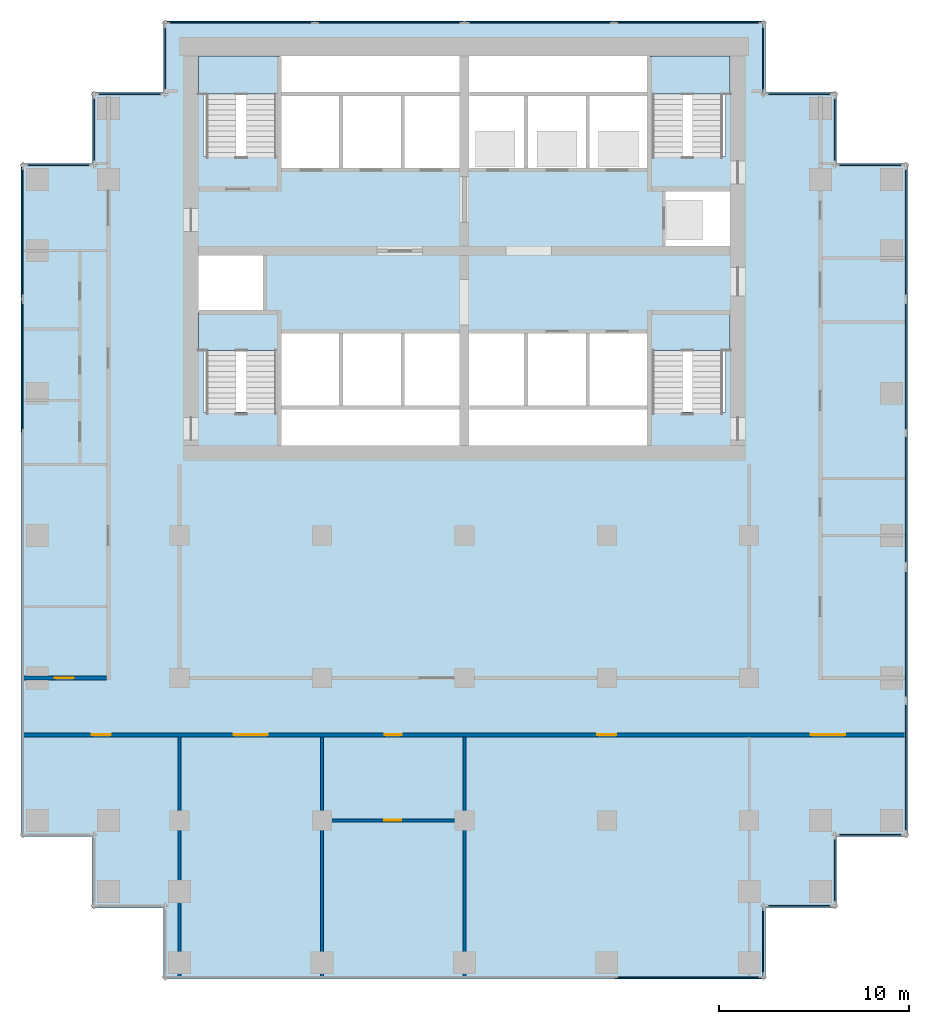
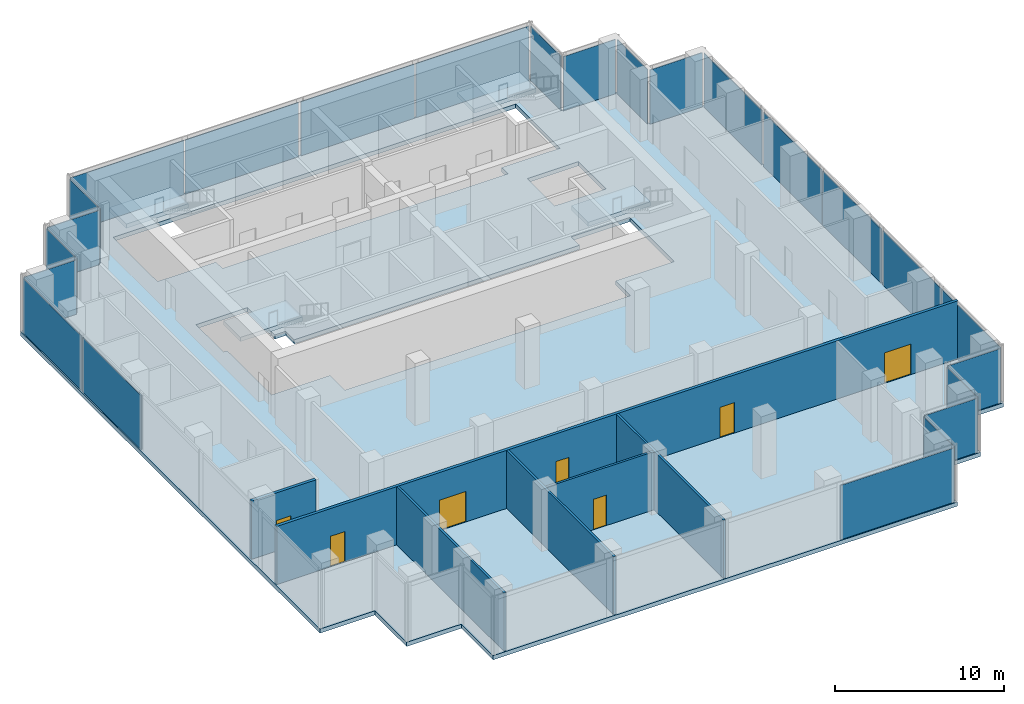
# One storey, part 3 of 8: 24 plates, 7 doors, 6 walls, 5 slabs, 7 openings, 24 elements without a shape of their own.
"""IFC4 building model written with IfcOpenShell, lengths in metres."""

from ifc_helpers import new_model, si_unit, direction, frame, frame_2d, origin, origin_2d, place, context, subcontext, project, spatial, polyline, rectangle, outline, extrude, material, layer, layer_set, type_object, element, fill, aggregate, save


model = new_model("IFC4")

# Units and contexts
model_context = context("Model", 3, precision=1e-05, world=origin(), true_north=direction((0.0, 1.0)))
body_context = subcontext(model_context, "Body", "Model", "MODEL_VIEW")
ifc_project = project(units=[si_unit("LENGTHUNIT", "METRE"), si_unit("AREAUNIT", "SQUARE_METRE"), si_unit("VOLUMEUNIT", "CUBIC_METRE"), si_unit("PLANEANGLEUNIT", "RADIAN"), si_unit("MASSUNIT", "GRAM", prefix="KILO")], contexts=[model_context])

# Site, building, storey
site_placement = place(None, origin())
site = spatial("IfcSite", under=ifc_project, at=site_placement, CompositionType="ELEMENT")
building_placement = place(site_placement, origin())
building = spatial("IfcBuilding", under=site, at=building_placement, Name="Pilkhan Gate Tower", CompositionType="ELEMENT")
storey_placement = place(building_placement, frame((0.0, 0.0, 143.199951171875)))
storey = spatial("IfcBuildingStorey", under=building, at=storey_placement, Name="L36", CompositionType="ELEMENT", Elevation=143.199951171875)

# Slab
ifc_material_1 = material(Name="Concrete C40/50", Category="concrete")
ifc_layer_1 = layer(ifc_material_1, 0.300048828125)
ifc_layer_set_1 = layer_set([ifc_layer_1], Name="Flat plate slab FP300")
slab_type_1 = type_object("IfcSlabType", Name="Flat plate slab FP300", PredefinedType="FLOOR", material=ifc_layer_set_1)
slab_1_placement = place(storey_placement, frame((0.0, 0.0, -0.300048828125)))
element("IfcSlab", 1, at=slab_1_placement, inside=storey, type_object=slab_type_1, Name="Floor slab L36", PredefinedType="FLOOR", context=body_context, shape_type="SweptSolid", body=[
    extrude(outline(polyline([(94.60009765625, 47.89990234375), (90.85009765625, 47.89990234375), (90.85009765625, 44.14990234375), (59.14990234375, 44.14990234375), (59.14990234375, 47.89990234375), (55.39990234375, 47.89990234375), (55.39990234375, 51.64990234375), (51.64990234375, 51.64990234375), (51.64990234375, 87.10009765625), (55.39990234375, 87.10009765625), (55.39990234375, 90.85009765625), (59.14990234375, 90.85009765625), (59.14990234375, 94.60009765625), (90.85009765625, 94.60009765625), (90.85009765625, 90.85009765625), (94.60009765625, 90.85009765625), (94.60009765625, 87.10009765625), (98.35009765625, 87.10009765625), (98.35009765625, 51.64990234375), (94.60009765625, 51.64990234375), (94.60009765625, 47.89990234375)]), holes=[polyline([(75.0, 72.25), (84.75, 72.25), (84.75, 74.0), (88.75, 74.0), (88.75, 79.25), (84.75, 79.25), (84.75, 78.25), (81.5, 78.25), (78.25, 78.25), (75.0, 78.25), (71.75, 78.25), (68.5, 78.25), (65.25, 78.25), (65.25, 79.25), (64.5, 79.25), (64.5, 82.5), (61.25, 82.5), (61.0, 82.5), (61.0, 79.25), (61.25, 79.25), (61.25, 74.0), (65.25, 74.0), (65.25, 72.25), (75.0, 72.25)]), polyline([(68.5, 86.75), (71.75, 86.75), (75.0, 86.75), (78.25, 86.75), (81.5, 86.75), (84.75, 86.75), (84.75, 87.5), (88.75, 87.5), (88.75, 92.75), (84.75, 92.75), (75.0, 92.75), (65.25, 92.75), (61.25, 92.75), (61.25, 87.5), (65.25, 87.5), (65.25, 86.75), (68.5, 86.75)]), polyline([(85.5, 85.75), (85.5, 82.5), (88.75, 82.5), (89.0, 82.5), (89.0, 85.75), (88.75, 85.75), (85.5, 85.75)])]), origin(), (0.0, 0.0, 1.0), 0.300048828125),
])

# Curtain wall, plates
ifc_material_2 = material(Name="Pale anodised aluminium, clear low-iron laminated glazing", Category="aluminium")
curtain_wall_type = type_object("IfcCurtainWallType", Name="Sky lobby and deck curtain wall CW-S", PredefinedType="USERDEFINED", material=ifc_material_2)
curtain_wall_1_placement = place(storey_placement, origin())
curtain_wall_1 = element("IfcCurtainWall", 2, at=curtain_wall_1_placement, inside=storey, type_object=curtain_wall_type, Name="Sky lobby and deck curtain wall CW-S L36 E", ObjectType="UNITISED CURTAIN WALL", PredefinedType="USERDEFINED")
ifc_material_3 = material(Name="Clear low-iron laminated glazing", Category="glass")
ifc_layer_2 = layer(ifc_material_3, 0.055908203125)
ifc_layer_set_2 = layer_set([ifc_layer_2], Name="Glass panel CW-S 56")
plate_type = type_object("IfcPlateType", Name="Glass panel CW-S 56", PredefinedType="CURTAIN_PANEL", material=ifc_layer_set_2)
plate_1_placement = place(storey_placement, frame((98.25, 55.297607421875, 0.0), z_axis=(0.0, 0.0, 1.0), x_axis=(0.0, 1.0, 0.0)))
plate_1 = element("IfcPlate", 3, at=plate_1_placement, type_object=plate_type, Name="CW-S panel 1", PredefinedType="CURTAIN_PANEL", context=body_context, shape_type="SweptSolid", body=[
    extrude(rectangle(XDim=6.9150390625, YDim=0.055908203125, at=origin_2d()), origin(), (0.0, 0.0, 1.0), 3.919921875),
])
plate_2_placement = place(storey_placement, frame((98.25, 62.302490234375, 0.0), z_axis=(0.0, 0.0, 1.0), x_axis=(0.0, 1.0, 0.0)))
plate_2 = element("IfcPlate", 4, at=plate_2_placement, type_object=plate_type, Name="CW-S panel 2", PredefinedType="CURTAIN_PANEL", context=body_context, shape_type="SweptSolid", body=[
    extrude(rectangle(XDim=6.9150390625, YDim=0.055908203125, at=origin_2d()), origin(), (0.0, 0.0, 1.0), 3.919921875),
])
aggregate(curtain_wall_1, [plate_1, plate_2])

curtain_wall_2_placement = place(storey_placement, origin())
curtain_wall_2 = element("IfcCurtainWall", 5, at=curtain_wall_2_placement, inside=storey, type_object=curtain_wall_type, Name="Sky lobby and deck curtain wall CW-S L36 E", ObjectType="UNITISED CURTAIN WALL", PredefinedType="USERDEFINED")
plate_3_placement = place(storey_placement, frame((98.25, 69.3974609375, 0.0), z_axis=(0.0, 0.0, 1.0), x_axis=(0.0, 1.0, 0.0)))
plate_3 = element("IfcPlate", 6, at=plate_3_placement, type_object=plate_type, Name="CW-S panel 1", PredefinedType="CURTAIN_PANEL", context=body_context, shape_type="SweptSolid", body=[
    extrude(rectangle(XDim=6.9150390625, YDim=0.055908203125, at=origin_2d()), origin(), (0.0, 0.0, 1.0), 3.919921875),
])
plate_4_placement = place(storey_placement, frame((98.25, 76.402587890625, 0.0), z_axis=(0.0, 0.0, 1.0), x_axis=(0.0, 1.0, 0.0)))
plate_4 = element("IfcPlate", 7, at=plate_4_placement, type_object=plate_type, Name="CW-S panel 2", PredefinedType="CURTAIN_PANEL", context=body_context, shape_type="SweptSolid", body=[
    extrude(rectangle(XDim=6.9150390625, YDim=0.055908203125, at=origin_2d()), origin(), (0.0, 0.0, 1.0), 3.919921875),
])
aggregate(curtain_wall_2, [plate_3, plate_4])

# Curtain wall, plate
curtain_wall_3_placement = place(storey_placement, origin())
curtain_wall_3 = element("IfcCurtainWall", 8, at=curtain_wall_3_placement, inside=storey, type_object=curtain_wall_type, Name="Sky lobby and deck curtain wall CW-S L36 E", ObjectType="UNITISED CURTAIN WALL", PredefinedType="USERDEFINED")
plate_5_placement = place(storey_placement, frame((98.25, 83.47509765625, 0.0), z_axis=(0.0, 0.0, 1.0), x_axis=(0.0, 1.0, 0.0)))
plate_5 = element("IfcPlate", 9, at=plate_5_placement, type_object=plate_type, Name="CW-S panel 1", PredefinedType="CURTAIN_PANEL", context=body_context, shape_type="SweptSolid", body=[
    extrude(rectangle(XDim=6.8701171875, YDim=0.055908203125, at=origin_2d()), origin(), (0.0, 0.0, 1.0), 3.919921875),
])
aggregate(curtain_wall_3, [plate_5])

curtain_wall_4_placement = place(storey_placement, origin())
curtain_wall_4 = element("IfcCurtainWall", 10, at=curtain_wall_4_placement, inside=storey, type_object=curtain_wall_type, Name="Sky lobby and deck curtain wall CW-S L36 N", ObjectType="UNITISED CURTAIN WALL", PredefinedType="USERDEFINED")
plate_6_placement = place(storey_placement, frame((96.375, 87.0, 0.0), z_axis=(0.0, 0.0, 1.0), x_axis=(1.0, 0.0, 0.0)))
plate_6 = element("IfcPlate", 11, at=plate_6_placement, type_object=plate_type, Name="CW-S panel 1", PredefinedType="CURTAIN_PANEL", context=body_context, shape_type="SweptSolid", body=[
    extrude(rectangle(XDim=3.570068359375, YDim=0.055908203125, at=origin_2d()), origin(), (0.0, 0.0, 1.0), 3.919921875),
])
aggregate(curtain_wall_4, [plate_6])

curtain_wall_5_placement = place(storey_placement, origin())
curtain_wall_5 = element("IfcCurtainWall", 12, at=curtain_wall_5_placement, inside=storey, type_object=curtain_wall_type, Name="Sky lobby and deck curtain wall CW-S L36 E", ObjectType="UNITISED CURTAIN WALL", PredefinedType="USERDEFINED")
plate_7_placement = place(storey_placement, frame((94.5, 88.875, 0.0), z_axis=(0.0, 0.0, 1.0), x_axis=(0.0, 1.0, 0.0)))
plate_7 = element("IfcPlate", 13, at=plate_7_placement, type_object=plate_type, Name="CW-S panel 1", PredefinedType="CURTAIN_PANEL", context=body_context, shape_type="SweptSolid", body=[
    extrude(rectangle(XDim=3.570068359375, YDim=0.055908203125, at=origin_2d()), origin(), (0.0, 0.0, 1.0), 3.919921875),
])
aggregate(curtain_wall_5, [plate_7])

curtain_wall_6_placement = place(storey_placement, origin())
curtain_wall_6 = element("IfcCurtainWall", 14, at=curtain_wall_6_placement, inside=storey, type_object=curtain_wall_type, Name="Sky lobby and deck curtain wall CW-S L36 N", ObjectType="UNITISED CURTAIN WALL", PredefinedType="USERDEFINED")
plate_8_placement = place(storey_placement, frame((92.625, 90.75, 0.0), z_axis=(0.0, 0.0, 1.0), x_axis=(1.0, 0.0, 0.0)))
plate_8 = element("IfcPlate", 15, at=plate_8_placement, type_object=plate_type, Name="CW-S panel 1", PredefinedType="CURTAIN_PANEL", context=body_context, shape_type="SweptSolid", body=[
    extrude(rectangle(XDim=3.570068359375, YDim=0.055908203125, at=origin_2d()), origin(), (0.0, 0.0, 1.0), 3.919921875),
])
aggregate(curtain_wall_6, [plate_8])

curtain_wall_7_placement = place(storey_placement, origin())
curtain_wall_7 = element("IfcCurtainWall", 16, at=curtain_wall_7_placement, inside=storey, type_object=curtain_wall_type, Name="Sky lobby and deck curtain wall CW-S L36 E", ObjectType="UNITISED CURTAIN WALL", PredefinedType="USERDEFINED")
plate_9_placement = place(storey_placement, frame((90.75, 92.625, 0.0), z_axis=(0.0, 0.0, 1.0), x_axis=(0.0, 1.0, 0.0)))
plate_9 = element("IfcPlate", 17, at=plate_9_placement, type_object=plate_type, Name="CW-S panel 1", PredefinedType="CURTAIN_PANEL", context=body_context, shape_type="SweptSolid", body=[
    extrude(rectangle(XDim=3.570068359375, YDim=0.055908203125, at=origin_2d()), origin(), (0.0, 0.0, 1.0), 3.919921875),
])
aggregate(curtain_wall_7, [plate_9])

# Curtain wall, plates
curtain_wall_8_placement = place(storey_placement, origin())
curtain_wall_8 = element("IfcCurtainWall", 18, at=curtain_wall_8_placement, inside=storey, type_object=curtain_wall_type, Name="Sky lobby and deck curtain wall CW-S L36 N", ObjectType="UNITISED CURTAIN WALL", PredefinedType="USERDEFINED")
plate_10_placement = place(storey_placement, frame((63.2099609375, 94.5, 0.0), z_axis=(0.0, 0.0, 1.0), x_axis=(1.0, 0.0, 0.0)))
plate_10 = element("IfcPlate", 19, at=plate_10_placement, type_object=plate_type, Name="CW-S panel 1", PredefinedType="CURTAIN_PANEL", context=body_context, shape_type="SweptSolid", body=[
    extrude(rectangle(XDim=7.739990234375, YDim=0.055908203125, at=origin_2d()), origin(), (0.0, 0.0, 1.0), 3.919921875),
])
plate_11_placement = place(storey_placement, frame((71.0400390625, 94.5, 0.0), z_axis=(0.0, 0.0, 1.0), x_axis=(1.0, 0.0, 0.0)))
plate_11 = element("IfcPlate", 20, at=plate_11_placement, type_object=plate_type, Name="CW-S panel 2", PredefinedType="CURTAIN_PANEL", context=body_context, shape_type="SweptSolid", body=[
    extrude(rectangle(XDim=7.739990234375, YDim=0.055908203125, at=origin_2d()), origin(), (0.0, 0.0, 1.0), 3.919921875),
])
aggregate(curtain_wall_8, [plate_10, plate_11])

curtain_wall_9_placement = place(storey_placement, origin())
curtain_wall_9 = element("IfcCurtainWall", 21, at=curtain_wall_9_placement, inside=storey, type_object=curtain_wall_type, Name="Sky lobby and deck curtain wall CW-S L36 N", ObjectType="UNITISED CURTAIN WALL", PredefinedType="USERDEFINED")
plate_12_placement = place(storey_placement, frame((78.9599609375, 94.5, 0.0), z_axis=(0.0, 0.0, 1.0), x_axis=(1.0, 0.0, 0.0)))
plate_12 = element("IfcPlate", 22, at=plate_12_placement, type_object=plate_type, Name="CW-S panel 1", PredefinedType="CURTAIN_PANEL", context=body_context, shape_type="SweptSolid", body=[
    extrude(rectangle(XDim=7.739990234375, YDim=0.055908203125, at=origin_2d()), origin(), (0.0, 0.0, 1.0), 3.919921875),
])
plate_13_placement = place(storey_placement, frame((86.7900390625, 94.5, 0.0), z_axis=(0.0, 0.0, 1.0), x_axis=(1.0, 0.0, 0.0)))
plate_13 = element("IfcPlate", 23, at=plate_13_placement, type_object=plate_type, Name="CW-S panel 2", PredefinedType="CURTAIN_PANEL", context=body_context, shape_type="SweptSolid", body=[
    extrude(rectangle(XDim=7.739990234375, YDim=0.055908203125, at=origin_2d()), origin(), (0.0, 0.0, 1.0), 3.919921875),
])
aggregate(curtain_wall_9, [plate_12, plate_13])

# Curtain wall, plate
curtain_wall_10_placement = place(storey_placement, origin())
curtain_wall_10 = element("IfcCurtainWall", 24, at=curtain_wall_10_placement, inside=storey, type_object=curtain_wall_type, Name="Sky lobby and deck curtain wall CW-S L36 W", ObjectType="UNITISED CURTAIN WALL", PredefinedType="USERDEFINED")
plate_14_placement = place(storey_placement, frame((59.25, 92.625, 0.0), z_axis=(0.0, 0.0, 1.0), x_axis=(0.0, 1.0, 0.0)))
plate_14 = element("IfcPlate", 25, at=plate_14_placement, type_object=plate_type, Name="CW-S panel 1", PredefinedType="CURTAIN_PANEL", context=body_context, shape_type="SweptSolid", body=[
    extrude(rectangle(XDim=3.570068359375, YDim=0.055908203125, at=origin_2d()), origin(), (0.0, 0.0, 1.0), 3.919921875),
])
aggregate(curtain_wall_10, [plate_14])

curtain_wall_11_placement = place(storey_placement, origin())
curtain_wall_11 = element("IfcCurtainWall", 26, at=curtain_wall_11_placement, inside=storey, type_object=curtain_wall_type, Name="Sky lobby and deck curtain wall CW-S L36 N", ObjectType="UNITISED CURTAIN WALL", PredefinedType="USERDEFINED")
plate_15_placement = place(storey_placement, frame((57.375, 90.75, 0.0), z_axis=(0.0, 0.0, 1.0), x_axis=(1.0, 0.0, 0.0)))
plate_15 = element("IfcPlate", 27, at=plate_15_placement, type_object=plate_type, Name="CW-S panel 1", PredefinedType="CURTAIN_PANEL", context=body_context, shape_type="SweptSolid", body=[
    extrude(rectangle(XDim=3.570068359375, YDim=0.055908203125, at=origin_2d()), origin(), (0.0, 0.0, 1.0), 3.919921875),
])
aggregate(curtain_wall_11, [plate_15])

curtain_wall_12_placement = place(storey_placement, origin())
curtain_wall_12 = element("IfcCurtainWall", 28, at=curtain_wall_12_placement, inside=storey, type_object=curtain_wall_type, Name="Sky lobby and deck curtain wall CW-S L36 W", ObjectType="UNITISED CURTAIN WALL", PredefinedType="USERDEFINED")
plate_16_placement = place(storey_placement, frame((55.5, 88.875, 0.0), z_axis=(0.0, 0.0, 1.0), x_axis=(0.0, 1.0, 0.0)))
plate_16 = element("IfcPlate", 29, at=plate_16_placement, type_object=plate_type, Name="CW-S panel 1", PredefinedType="CURTAIN_PANEL", context=body_context, shape_type="SweptSolid", body=[
    extrude(rectangle(XDim=3.570068359375, YDim=0.055908203125, at=origin_2d()), origin(), (0.0, 0.0, 1.0), 3.919921875),
])
aggregate(curtain_wall_12, [plate_16])

curtain_wall_13_placement = place(storey_placement, origin())
curtain_wall_13 = element("IfcCurtainWall", 30, at=curtain_wall_13_placement, inside=storey, type_object=curtain_wall_type, Name="Sky lobby and deck curtain wall CW-S L36 N", ObjectType="UNITISED CURTAIN WALL", PredefinedType="USERDEFINED")
plate_17_placement = place(storey_placement, frame((53.625, 87.0, 0.0), z_axis=(0.0, 0.0, 1.0), x_axis=(1.0, 0.0, 0.0)))
plate_17 = element("IfcPlate", 31, at=plate_17_placement, type_object=plate_type, Name="CW-S panel 1", PredefinedType="CURTAIN_PANEL", context=body_context, shape_type="SweptSolid", body=[
    extrude(rectangle(XDim=3.570068359375, YDim=0.055908203125, at=origin_2d()), origin(), (0.0, 0.0, 1.0), 3.919921875),
])
aggregate(curtain_wall_13, [plate_17])

curtain_wall_14_placement = place(storey_placement, origin())
curtain_wall_14 = element("IfcCurtainWall", 32, at=curtain_wall_14_placement, inside=storey, type_object=curtain_wall_type, Name="Sky lobby and deck curtain wall CW-S L36 W", ObjectType="UNITISED CURTAIN WALL", PredefinedType="USERDEFINED")
plate_18_placement = place(storey_placement, frame((51.75, 76.402587890625, 0.0), z_axis=(0.0, 0.0, 1.0), x_axis=(0.0, 1.0, 0.0)))
plate_18 = element("IfcPlate", 33, at=plate_18_placement, type_object=plate_type, Name="CW-S panel 2", PredefinedType="CURTAIN_PANEL", context=body_context, shape_type="SweptSolid", body=[
    extrude(rectangle(XDim=6.9150390625, YDim=0.055908203125, at=origin_2d()), origin(), (0.0, 0.0, 1.0), 3.919921875),
])
aggregate(curtain_wall_14, [plate_18])

curtain_wall_15_placement = place(storey_placement, origin())
curtain_wall_15 = element("IfcCurtainWall", 34, at=curtain_wall_15_placement, inside=storey, type_object=curtain_wall_type, Name="Sky lobby and deck curtain wall CW-S L36 W", ObjectType="UNITISED CURTAIN WALL", PredefinedType="USERDEFINED")
plate_19_placement = place(storey_placement, frame((51.75, 83.47509765625, 0.0), z_axis=(0.0, 0.0, 1.0), x_axis=(0.0, 1.0, 0.0)))
plate_19 = element("IfcPlate", 35, at=plate_19_placement, type_object=plate_type, Name="CW-S panel 1", PredefinedType="CURTAIN_PANEL", context=body_context, shape_type="SweptSolid", body=[
    extrude(rectangle(XDim=6.8701171875, YDim=0.055908203125, at=origin_2d()), origin(), (0.0, 0.0, 1.0), 3.919921875),
])
aggregate(curtain_wall_15, [plate_19])

curtain_wall_16_placement = place(storey_placement, origin())
curtain_wall_16 = element("IfcCurtainWall", 36, at=curtain_wall_16_placement, inside=storey, type_object=curtain_wall_type, Name="Sky lobby and deck curtain wall CW-S L36 S", ObjectType="UNITISED CURTAIN WALL", PredefinedType="USERDEFINED")
plate_20_placement = place(storey_placement, frame((86.7900390625, 44.25, 0.0), z_axis=(0.0, 0.0, 1.0), x_axis=(1.0, 0.0, 0.0)))
plate_20 = element("IfcPlate", 37, at=plate_20_placement, type_object=plate_type, Name="CW-S panel 2", PredefinedType="CURTAIN_PANEL", context=body_context, shape_type="SweptSolid", body=[
    extrude(rectangle(XDim=7.739990234375, YDim=0.055908203125, at=origin_2d()), origin(), (0.0, 0.0, 1.0), 3.919921875),
])
aggregate(curtain_wall_16, [plate_20])

curtain_wall_17_placement = place(storey_placement, origin())
curtain_wall_17 = element("IfcCurtainWall", 38, at=curtain_wall_17_placement, inside=storey, type_object=curtain_wall_type, Name="Sky lobby and deck curtain wall CW-S L36 E", ObjectType="UNITISED CURTAIN WALL", PredefinedType="USERDEFINED")
plate_21_placement = place(storey_placement, frame((90.75, 46.125, 0.0), z_axis=(0.0, 0.0, 1.0), x_axis=(0.0, 1.0, 0.0)))
plate_21 = element("IfcPlate", 39, at=plate_21_placement, type_object=plate_type, Name="CW-S panel 1", PredefinedType="CURTAIN_PANEL", context=body_context, shape_type="SweptSolid", body=[
    extrude(rectangle(XDim=3.570068359375, YDim=0.055908203125, at=origin_2d()), origin(), (0.0, 0.0, 1.0), 3.919921875),
])
aggregate(curtain_wall_17, [plate_21])

curtain_wall_18_placement = place(storey_placement, origin())
curtain_wall_18 = element("IfcCurtainWall", 40, at=curtain_wall_18_placement, inside=storey, type_object=curtain_wall_type, Name="Sky lobby and deck curtain wall CW-S L36 S", ObjectType="UNITISED CURTAIN WALL", PredefinedType="USERDEFINED")
plate_22_placement = place(storey_placement, frame((92.625, 48.0, 0.0), z_axis=(0.0, 0.0, 1.0), x_axis=(1.0, 0.0, 0.0)))
plate_22 = element("IfcPlate", 41, at=plate_22_placement, type_object=plate_type, Name="CW-S panel 1", PredefinedType="CURTAIN_PANEL", context=body_context, shape_type="SweptSolid", body=[
    extrude(rectangle(XDim=3.570068359375, YDim=0.055908203125, at=origin_2d()), origin(), (0.0, 0.0, 1.0), 3.919921875),
])
aggregate(curtain_wall_18, [plate_22])

curtain_wall_19_placement = place(storey_placement, origin())
curtain_wall_19 = element("IfcCurtainWall", 42, at=curtain_wall_19_placement, inside=storey, type_object=curtain_wall_type, Name="Sky lobby and deck curtain wall CW-S L36 E", ObjectType="UNITISED CURTAIN WALL", PredefinedType="USERDEFINED")
plate_23_placement = place(storey_placement, frame((94.5, 49.875, 0.0), z_axis=(0.0, 0.0, 1.0), x_axis=(0.0, 1.0, 0.0)))
plate_23 = element("IfcPlate", 43, at=plate_23_placement, type_object=plate_type, Name="CW-S panel 1", PredefinedType="CURTAIN_PANEL", context=body_context, shape_type="SweptSolid", body=[
    extrude(rectangle(XDim=3.570068359375, YDim=0.055908203125, at=origin_2d()), origin(), (0.0, 0.0, 1.0), 3.919921875),
])
aggregate(curtain_wall_19, [plate_23])

curtain_wall_20_placement = place(storey_placement, origin())
curtain_wall_20 = element("IfcCurtainWall", 44, at=curtain_wall_20_placement, inside=storey, type_object=curtain_wall_type, Name="Sky lobby and deck curtain wall CW-S L36 S", ObjectType="UNITISED CURTAIN WALL", PredefinedType="USERDEFINED")
plate_24_placement = place(storey_placement, frame((96.375, 51.75, 0.0), z_axis=(0.0, 0.0, 1.0), x_axis=(1.0, 0.0, 0.0)))
plate_24 = element("IfcPlate", 45, at=plate_24_placement, type_object=plate_type, Name="CW-S panel 1", PredefinedType="CURTAIN_PANEL", context=body_context, shape_type="SweptSolid", body=[
    extrude(rectangle(XDim=3.570068359375, YDim=0.055908203125, at=origin_2d()), origin(), (0.0, 0.0, 1.0), 3.919921875),
])
aggregate(curtain_wall_20, [plate_24])

# Stair, slab
ifc_material_4 = material(Name="Concrete C40/50 precast", Category="concrete")
stair_type_1 = type_object("IfcStairType", Name="Stair ST1 173x280", PredefinedType="HALF_TURN_STAIR", material=ifc_material_4)
stair_1_placement = place(storey_placement, origin())
stair_1 = element("IfcStair", 46, at=stair_1_placement, inside=storey, type_object=stair_type_1, Name="Stair ST1 L36", PredefinedType="HALF_TURN_STAIR")
ifc_layer_3 = layer(ifc_material_1, 0.199951171875)
ifc_layer_set_3 = layer_set([ifc_layer_3], Name="Stair landing SL200")
slab_type_2 = type_object("IfcSlabType", Name="Stair landing SL200", PredefinedType="LANDING", material=ifc_layer_set_3)
slab_2_placement = place(storey_placement, frame((0.0, 0.0, 1.949951171875)))
slab_2 = element("IfcSlab", 47, at=slab_2_placement, type_object=slab_type_2, Name="ST1 landing 1", PredefinedType="LANDING", context=body_context, shape_type="SweptSolid", body=[
    extrude(outline(polyline([(89.0, 77.260009765625), (89.0, 79.25), (84.75, 79.25), (84.75, 77.260009765625), (89.0, 77.260009765625)])), origin(), (0.0, 0.0, 1.0), 0.300048828125),
])
aggregate(stair_1, [slab_2])

stair_type_2 = type_object("IfcStairType", Name="Stair ST2 173x280", PredefinedType="HALF_TURN_STAIR", material=ifc_material_4)
stair_2_placement = place(storey_placement, origin())
stair_2 = element("IfcStair", 48, at=stair_2_placement, inside=storey, type_object=stair_type_2, Name="Stair ST2 L36", PredefinedType="HALF_TURN_STAIR")
slab_3_placement = place(storey_placement, frame((0.0, 0.0, 1.949951171875)))
slab_3 = element("IfcSlab", 49, at=slab_3_placement, type_object=slab_type_2, Name="ST2 landing 1", PredefinedType="LANDING", context=body_context, shape_type="SweptSolid", body=[
    extrude(outline(polyline([(65.25, 77.260009765625), (65.25, 79.25), (61.0, 79.25), (61.0, 77.260009765625), (65.25, 77.260009765625)])), origin(), (0.0, 0.0, 1.0), 0.300048828125),
])
aggregate(stair_2, [slab_3])

stair_type_3 = type_object("IfcStairType", Name="Stair ST3 173x280", PredefinedType="HALF_TURN_STAIR", material=ifc_material_4)
stair_3_placement = place(storey_placement, origin())
stair_3 = element("IfcStair", 50, at=stair_3_placement, inside=storey, type_object=stair_type_3, Name="Stair ST3 L36", PredefinedType="HALF_TURN_STAIR")
slab_4_placement = place(storey_placement, frame((0.0, 0.0, 1.949951171875)))
slab_4 = element("IfcSlab", 51, at=slab_4_placement, type_object=slab_type_2, Name="ST3 landing 1", PredefinedType="LANDING", context=body_context, shape_type="SweptSolid", body=[
    extrude(outline(polyline([(65.25, 90.760009765625), (65.25, 92.75), (61.0, 92.75), (61.0, 90.760009765625), (65.25, 90.760009765625)])), origin(), (0.0, 0.0, 1.0), 0.300048828125),
])
aggregate(stair_3, [slab_4])

stair_type_4 = type_object("IfcStairType", Name="Stair ST4 173x280", PredefinedType="HALF_TURN_STAIR", material=ifc_material_4)
stair_4_placement = place(storey_placement, origin())
stair_4 = element("IfcStair", 52, at=stair_4_placement, inside=storey, type_object=stair_type_4, Name="Stair ST4 L36", PredefinedType="HALF_TURN_STAIR")
slab_5_placement = place(storey_placement, frame((0.0, 0.0, 1.949951171875)))
slab_5 = element("IfcSlab", 53, at=slab_5_placement, type_object=slab_type_2, Name="ST4 landing 1", PredefinedType="LANDING", context=body_context, shape_type="SweptSolid", body=[
    extrude(outline(polyline([(89.0, 90.760009765625), (89.0, 92.75), (84.75, 92.75), (84.75, 90.760009765625), (89.0, 90.760009765625)])), origin(), (0.0, 0.0, 1.0), 0.300048828125),
])
aggregate(stair_4, [slab_5])

# Wall, openings, doors
ifc_material_5 = material(Name="Dense blockwork", Category="masonry")
ifc_layer_4 = layer(ifc_material_5, 0.199951171875)
ifc_layer_set_4 = layer_set([ifc_layer_4], Name="Corridor wall FW200")
wall_type_1 = type_object("IfcWallType", Name="Corridor wall FW200", PredefinedType="PARTITIONING", material=ifc_layer_set_4)
wall_1_placement = place(storey_placement, frame((51.735107421875, 57.0, 0.0), z_axis=(0.0, 0.0, 1.0), x_axis=(1.0, 0.0, 0.0)))
wall_1 = element("IfcWall", 54, at=wall_1_placement, inside=storey, type_object=wall_type_1, Name="Partition L36", PredefinedType="PARTITIONING", context=body_context, shape_type="SweptSolid", body=[
    extrude(rectangle(XDim=46.52978515625, YDim=0.199951171875, at=frame_2d((23.264892578125, 0.0))), origin(), (0.0, 0.0, 1.0), 4.199951171875),
])
opening_1_placement = place(wall_1_placement, frame((11.114990234375, 0.0, 0.0)))
opening_1 = element("IfcOpeningElement", 55, at=opening_1_placement, cuts=wall_1, Name="Opening L36-10", PredefinedType="OPENING", context=body_context, shape_type="SweptSolid", body=[
    extrude(rectangle(XDim=1.800048828125, YDim=2.199951171875, at=frame_2d((0.89990234375, 1.10009765625))), frame((0.0, 0.10986328125, 0.0), z_axis=(0.0, -1.0, 0.0), x_axis=(1.0, 0.0, 0.0)), (0.0, 0.0, 1.0), 0.219970703125),
])
opening_2_placement = place(wall_1_placement, frame((3.64990234375, 0.0, 0.0)))
opening_2 = element("IfcOpeningElement", 56, at=opening_2_placement, cuts=wall_1, Name="Opening L36-11", PredefinedType="OPENING", context=body_context, shape_type="SweptSolid", body=[
    extrude(rectangle(XDim=1.0, YDim=2.199951171875, at=frame_2d((0.5, 1.10009765625))), frame((0.0, 0.10986328125, 0.0), z_axis=(0.0, -1.0, 0.0), x_axis=(1.0, 0.0, 0.0)), (0.0, 0.0, 1.0), 0.219970703125),
])
opening_3_placement = place(wall_1_placement, frame((19.06494140625, 0.0, 0.0)))
opening_3 = element("IfcOpeningElement", 57, at=opening_3_placement, cuts=wall_1, Name="Opening L36-12", PredefinedType="OPENING", context=body_context, shape_type="SweptSolid", body=[
    extrude(rectangle(XDim=0.89990234375, YDim=2.199951171875, at=frame_2d((0.449951171875, 1.10009765625))), frame((0.0, 0.10986328125, 0.0), z_axis=(0.0, -1.0, 0.0), x_axis=(1.0, 0.0, 0.0)), (0.0, 0.0, 1.0), 0.219970703125),
])
opening_4_placement = place(wall_1_placement, frame((30.264892578125, 0.0, 0.0)))
opening_4 = element("IfcOpeningElement", 58, at=opening_4_placement, cuts=wall_1, Name="Opening L36-14", PredefinedType="OPENING", context=body_context, shape_type="SweptSolid", body=[
    extrude(rectangle(XDim=1.0, YDim=2.199951171875, at=frame_2d((0.5, 1.10009765625))), frame((0.0, 0.10986328125, 0.0), z_axis=(0.0, -1.0, 0.0), x_axis=(1.0, 0.0, 0.0)), (0.0, 0.0, 1.0), 0.219970703125),
])
opening_5_placement = place(wall_1_placement, frame((41.514892578125, 0.0, 0.0)))
opening_5 = element("IfcOpeningElement", 59, at=opening_5_placement, cuts=wall_1, Name="Opening L36-15", PredefinedType="OPENING", context=body_context, shape_type="SweptSolid", body=[
    extrude(rectangle(XDim=1.800048828125, YDim=2.199951171875, at=frame_2d((0.89990234375, 1.10009765625))), frame((0.0, 0.10986328125, 0.0), z_axis=(0.0, -1.0, 0.0), x_axis=(1.0, 0.0, 0.0)), (0.0, 0.0, 1.0), 0.219970703125),
])
ifc_material_6 = material(Name="Timber glazed double door, 30 minute fire resisting", Category="wood")
door_type_1 = type_object("IfcDoorType", Name="Double door D04 1800x2200", OperationType="DOUBLE_DOOR_SINGLE_SWING", PredefinedType="DOOR", material=ifc_material_6)
door_1_placement = place(opening_1_placement, origin())
door_1 = element("IfcDoor", 60, at=door_1_placement, inside=storey, type_object=door_type_1, Name="Double door", OperationType="DOUBLE_DOOR_SINGLE_SWING", OverallHeight=2.199951171875, OverallWidth=1.800048828125, PredefinedType="DOOR", context=body_context, shape_type="SweptSolid", body=[
    extrude(rectangle(XDim=1.800048828125, YDim=2.199951171875, at=frame_2d((0.89990234375, 1.10009765625))), frame((0.0, 0.02490234375, 0.0), z_axis=(0.0, -1.0, 0.0), x_axis=(1.0, 0.0, 0.0)), (0.0, 0.0, 1.0), 0.050048828125),
])
fill(opening_1, door_1)
door_2_placement = place(opening_5_placement, origin())
door_2 = element("IfcDoor", 61, at=door_2_placement, inside=storey, type_object=door_type_1, Name="Double door", OperationType="DOUBLE_DOOR_SINGLE_SWING", OverallHeight=2.199951171875, OverallWidth=1.800048828125, PredefinedType="DOOR", context=body_context, shape_type="SweptSolid", body=[
    extrude(rectangle(XDim=1.800048828125, YDim=2.199951171875, at=frame_2d((0.89990234375, 1.10009765625))), frame((0.0, 0.02490234375, 0.0), z_axis=(0.0, -1.0, 0.0), x_axis=(1.0, 0.0, 0.0)), (0.0, 0.0, 1.0), 0.050048828125),
])
fill(opening_5, door_2)
ifc_material_7 = material(Name="Timber flush door, 30 minute fire resisting", Category="wood")
door_type_2 = type_object("IfcDoorType", Name="Room door D03 1000x2200", OperationType="SINGLE_SWING_LEFT", PredefinedType="DOOR", material=ifc_material_7)
door_3_placement = place(opening_2_placement, origin())
door_3 = element("IfcDoor", 62, at=door_3_placement, inside=storey, type_object=door_type_2, Name="Room door", OperationType="SINGLE_SWING_RIGHT", OverallHeight=2.199951171875, OverallWidth=1.0, PredefinedType="DOOR", context=body_context, shape_type="SweptSolid", body=[
    extrude(rectangle(XDim=1.0, YDim=2.199951171875, at=frame_2d((0.5, 1.10009765625))), frame((0.0, 0.02490234375, 0.0), z_axis=(0.0, -1.0, 0.0), x_axis=(1.0, 0.0, 0.0)), (0.0, 0.0, 1.0), 0.050048828125),
])
fill(opening_2, door_3)
door_4_placement = place(opening_4_placement, origin())
door_4 = element("IfcDoor", 63, at=door_4_placement, inside=storey, type_object=door_type_2, Name="Room door", OperationType="SINGLE_SWING_LEFT", OverallHeight=2.199951171875, OverallWidth=1.0, PredefinedType="DOOR", context=body_context, shape_type="SweptSolid", body=[
    extrude(rectangle(XDim=1.0, YDim=2.199951171875, at=frame_2d((0.5, 1.10009765625))), frame((0.0, 0.02490234375, 0.0), z_axis=(0.0, -1.0, 0.0), x_axis=(1.0, 0.0, 0.0)), (0.0, 0.0, 1.0), 0.050048828125),
])
fill(opening_4, door_4)
ifc_material_8 = material(Name="Timber flush door, 60 minute fire resisting, self-closing", Category="wood")
door_type_3 = type_object("IfcDoorType", Name="Store door D05 900x2200", OperationType="SINGLE_SWING_LEFT", PredefinedType="DOOR", material=ifc_material_8)
door_5_placement = place(opening_3_placement, origin())
door_5 = element("IfcDoor", 64, at=door_5_placement, inside=storey, type_object=door_type_3, Name="Store door", OperationType="SINGLE_SWING_RIGHT", OverallHeight=2.199951171875, OverallWidth=0.89990234375, PredefinedType="DOOR", context=body_context, shape_type="SweptSolid", body=[
    extrude(rectangle(XDim=0.89990234375, YDim=2.199951171875, at=frame_2d((0.449951171875, 1.10009765625))), frame((0.0, 0.02490234375, 0.0), z_axis=(0.0, -1.0, 0.0), x_axis=(1.0, 0.0, 0.0)), (0.0, 0.0, 1.0), 0.050048828125),
])
fill(opening_3, door_5)

# Wall, opening, door
wall_2_placement = place(storey_placement, frame((51.735107421875, 60.0, 0.0), z_axis=(0.0, 0.0, 1.0), x_axis=(1.0, 0.0, 0.0)))
wall_2 = element("IfcWall", 65, at=wall_2_placement, inside=storey, type_object=wall_type_1, Name="Partition L36", PredefinedType="PARTITIONING", context=body_context, shape_type="SweptSolid", body=[
    extrude(rectangle(XDim=4.414794921875, YDim=0.199951171875, at=frame_2d((2.20751953125, 0.0))), origin(), (0.0, 0.0, 1.0), 4.199951171875),
])
opening_6_placement = place(wall_2_placement, frame((1.699951171875, 0.0, 0.0)))
opening_6 = element("IfcOpeningElement", 66, at=opening_6_placement, cuts=wall_2, Name="Opening L36-19", PredefinedType="OPENING", context=body_context, shape_type="SweptSolid", body=[
    extrude(rectangle(XDim=1.0, YDim=2.199951171875, at=frame_2d((0.5, 1.10009765625))), frame((0.0, 0.10986328125, 0.0), z_axis=(0.0, -1.0, 0.0), x_axis=(1.0, 0.0, 0.0)), (0.0, 0.0, 1.0), 0.219970703125),
])
door_6_placement = place(opening_6_placement, origin())
door_6 = element("IfcDoor", 67, at=door_6_placement, inside=storey, type_object=door_type_2, Name="Room door", OperationType="SINGLE_SWING_RIGHT", OverallHeight=2.199951171875, OverallWidth=1.0, PredefinedType="DOOR", context=body_context, shape_type="SweptSolid", body=[
    extrude(rectangle(XDim=1.0, YDim=2.199951171875, at=frame_2d((0.5, 1.10009765625))), frame((0.0, 0.02490234375, 0.0), z_axis=(0.0, -1.0, 0.0), x_axis=(1.0, 0.0, 0.0)), (0.0, 0.0, 1.0), 0.050048828125),
])
fill(opening_6, door_6)

ifc_material_9 = material(Name="Blockwork partition, plastered both sides", Category="masonry")
ifc_layer_5 = layer(ifc_material_9, 0.14990234375)
ifc_layer_set_5 = layer_set([ifc_layer_5], Name="Partition PW150")
wall_type_2 = type_object("IfcWallType", Name="Partition PW150", PredefinedType="PARTITIONING", material=ifc_layer_set_5)
wall_3_placement = place(storey_placement, frame((67.574951171875, 52.5, 0.0), z_axis=(0.0, 0.0, 1.0), x_axis=(1.0, 0.0, 0.0)))
wall_3 = element("IfcWall", 68, at=wall_3_placement, inside=storey, type_object=wall_type_2, Name="Partition L36", PredefinedType="PARTITIONING", context=body_context, shape_type="SweptSolid", body=[
    extrude(rectangle(XDim=7.35009765625, YDim=0.14990234375, at=frame_2d((3.675048828125, 0.0))), origin(), (0.0, 0.0, 1.0), 4.199951171875),
])
opening_7_placement = place(wall_3_placement, frame((3.199951171875, 0.0, 0.0)))
opening_7 = element("IfcOpeningElement", 69, at=opening_7_placement, cuts=wall_3, Name="Opening L36-13", PredefinedType="OPENING", context=body_context, shape_type="SweptSolid", body=[
    extrude(rectangle(XDim=0.89990234375, YDim=2.199951171875, at=frame_2d((0.449951171875, 1.10009765625))), frame((0.0, 0.0849609375, 0.0), z_axis=(0.0, -1.0, 0.0), x_axis=(1.0, 0.0, 0.0)), (0.0, 0.0, 1.0), 0.169921875),
])
door_7_placement = place(opening_7_placement, origin())
door_7 = element("IfcDoor", 70, at=door_7_placement, inside=storey, type_object=door_type_3, Name="Store door", OperationType="SINGLE_SWING_RIGHT", OverallHeight=2.199951171875, OverallWidth=0.89990234375, PredefinedType="DOOR", context=body_context, shape_type="SweptSolid", body=[
    extrude(rectangle(XDim=0.89990234375, YDim=2.199951171875, at=frame_2d((0.449951171875, 1.10009765625))), frame((0.0, 0.02490234375, 0.0), z_axis=(0.0, -1.0, 0.0), x_axis=(1.0, 0.0, 0.0)), (0.0, 0.0, 1.0), 0.050048828125),
])
fill(opening_7, door_7)

# Walls
for number, where, z_axis, x_axis, name in (
    (71, (60.0, 44.235107421875, 0.0), (0.0, 0.0, 1.0), (0.0, 1.0, 0.0), "Partition L36"),
    (72, (67.5, 44.235107421875, 0.0), (0.0, 0.0, 1.0), (0.0, 1.0, 0.0), "Partition L36"),
    (73, (75.0, 44.235107421875, 0.0), (0.0, 0.0, 1.0), (0.0, 1.0, 0.0), "Partition L36"),
):
    element("IfcWall", number, at=place(storey_placement, frame(where, z_axis=z_axis, x_axis=x_axis)), inside=storey, type_object=wall_type_2, Name=name, PredefinedType="PARTITIONING", context=body_context, shape_type="SweptSolid", body=[
        extrude(rectangle(XDim=12.664794921875, YDim=0.14990234375, at=frame_2d((6.33251953125, 0.0))), origin(), (0.0, 0.0, 1.0), 4.199951171875),
    ])

save(model, "model.ifc")
